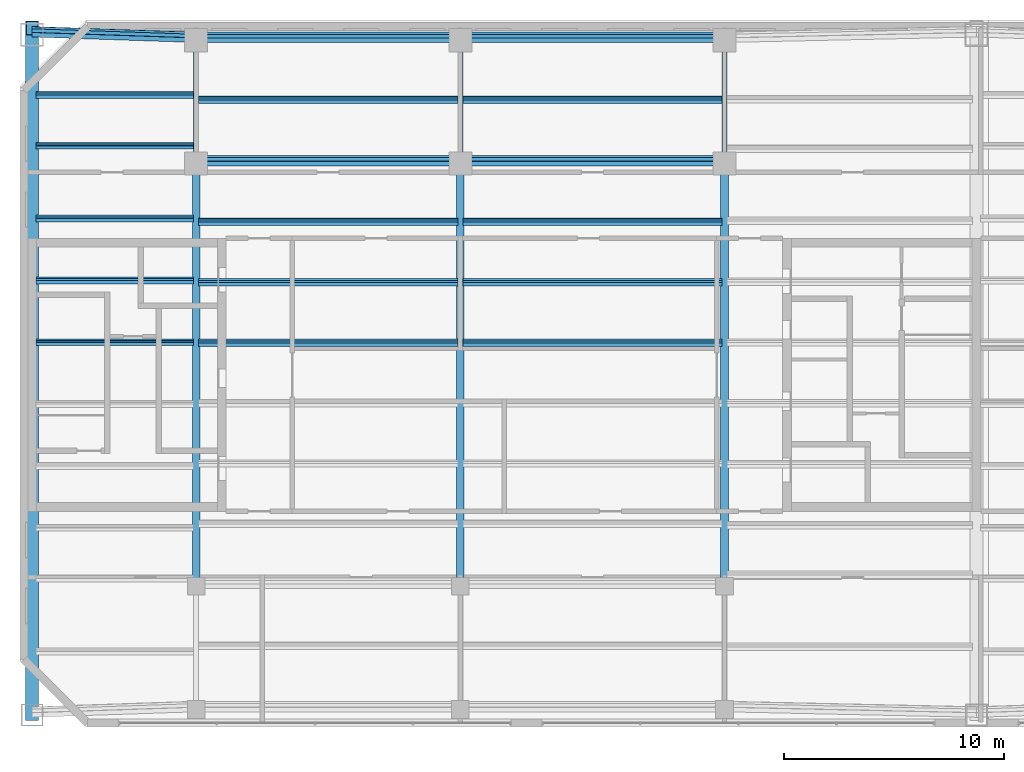
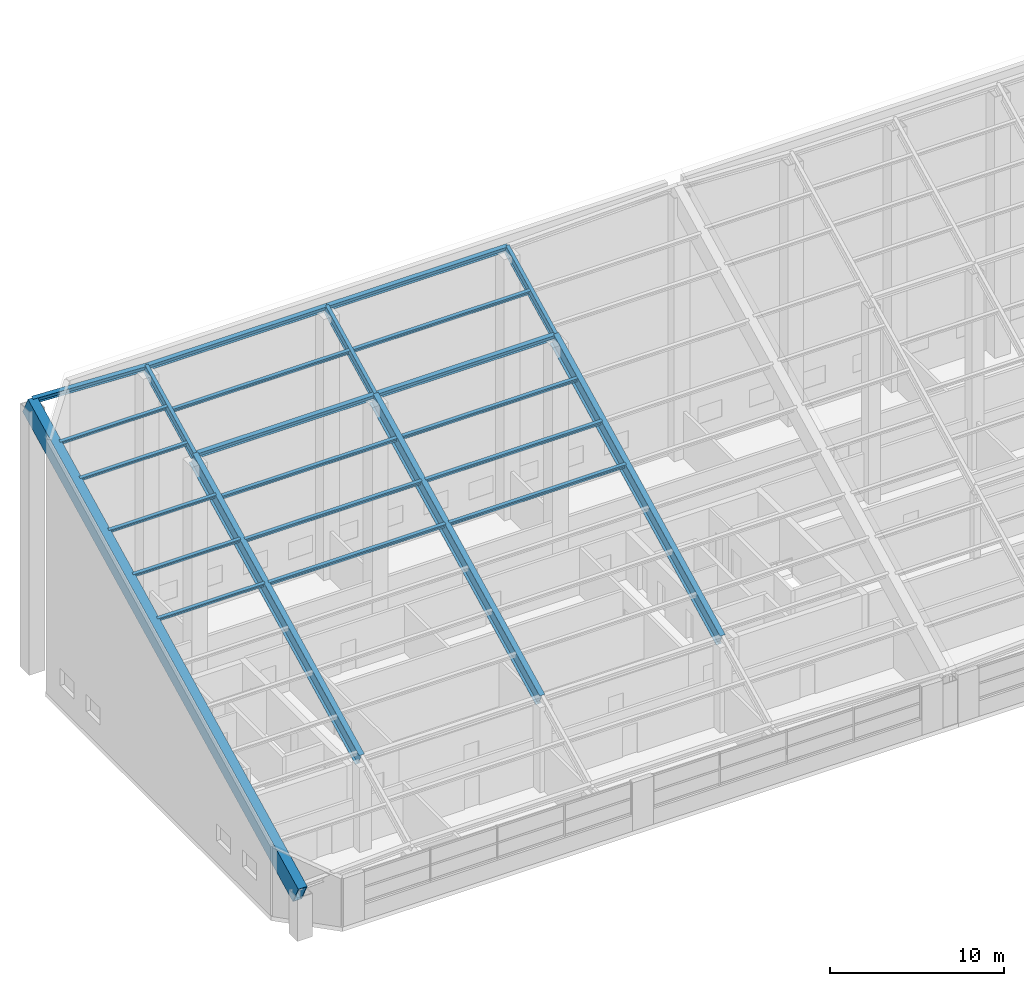
# One storey, part 6 of 28: 25 members.
"""IFC4 building model written with IfcOpenShell, lengths in metres."""

from ifc_helpers import new_model, si_unit, direction, frame, origin, origin_2d, place, context, subcontext, project, spatial, hollow_rectangle, i_section, extrude, material, material_profile, profile_set, type_object, element, save


model = new_model("IFC4")

# Units and contexts
model_context = context("Model", 3, precision=1e-05, world=origin(), true_north=direction((0.0, 1.0)))
body_context = subcontext(model_context, "Body", "Model", "MODEL_VIEW")
ifc_project = project(units=[si_unit("LENGTHUNIT", "METRE"), si_unit("AREAUNIT", "SQUARE_METRE"), si_unit("VOLUMEUNIT", "CUBIC_METRE"), si_unit("PLANEANGLEUNIT", "RADIAN"), si_unit("MASSUNIT", "GRAM", prefix="KILO")], contexts=[model_context])

# Site, building, storey
site_placement = place(None, origin())
site = spatial("IfcSite", under=ifc_project, at=site_placement, CompositionType="ELEMENT")
building_placement = place(site_placement, origin())
building = spatial("IfcBuilding", under=site, at=building_placement, Name="Tuart Gate Housing", CompositionType="ELEMENT")
storey_placement = place(building_placement, frame((0.0, 0.0, 243.89990234375)))
storey = spatial("IfcBuildingStorey", under=building, at=storey_placement, Name="L68", CompositionType="ELEMENT", Elevation=243.89990234375)

# Members
ifc_material_1 = material(Name="Steel Grade 350", Category="steel")
ifc_material_profile_1 = material_profile(ifc_material_1, i_section(OverallWidth=0.22900390625, OverallDepth=0.612060546875, WebThickness=0.011962890625, FlangeThickness=0.01953125, at=origin_2d()), Name="610UB125")
ifc_profile_set_1 = profile_set([ifc_material_profile_1], Name="Steel Grade 350")
member_type_1 = type_object("IfcMemberType", Name="Crown purlin 610 UB125", PredefinedType="PURLIN", material=ifc_profile_set_1)
member_1_placement = place(storey_placement, frame((32.550048828125, 85.5869140625, 18.75146484375), z_axis=(0.999296935793, -0.033533674005, -0.016766837002), x_axis=(0.037491785813, 0.893672148976, 0.447151491265)))
element("IfcMember", 1, at=member_1_placement, inside=storey, type_object=member_type_1, Name="Crown purlin 46", PredefinedType="PURLIN", context=body_context, shape_type="SweptSolid", body=[
    extrude(i_section(OverallWidth=0.22900390625, OverallDepth=0.612060546875, WebThickness=0.011962890625, FlangeThickness=0.01953125, at=origin_2d()), origin(), (0.0, 0.0, 1.0), 7.455078125),
])
ifc_material_2 = material(Name="Steel Grade 350", Category="steel")
ifc_material_profile_2 = material_profile(ifc_material_2, i_section(OverallWidth=0.22900390625, OverallDepth=0.612060546875, WebThickness=0.011962890625, FlangeThickness=0.01953125, at=origin_2d()), Name="610UB125")
ifc_profile_set_2 = profile_set([ifc_material_profile_2], Name="Steel Grade 350")
member_type_2 = type_object("IfcMemberType", Name="Crown purlin 610 UB125 (11.5-13.5 m)", PredefinedType="PURLIN", material=ifc_profile_set_2)
for number, where, z_axis, x_axis, name in (
    (2, (40.0, 79.73681640625, 15.826416015625), (1.0, 0.0, 0.0), (0.0, 0.89442680992, 0.44721435766), "Crown purlin 31"),
    (3, (52.0, 79.73681640625, 15.826416015625), (1.0, 0.0, 0.0), (0.0, 0.89442680992, 0.44721435766), "Crown purlin 32"),
    (4, (40.0, 85.3369140625, 18.62646484375), (1.0, 0.0, 0.0), (0.0, 0.89442680992, 0.44721435766), "Crown purlin 34"),
    (5, (52.0, 85.3369140625, 18.62646484375), (1.0, 0.0, 0.0), (0.0, 0.89442680992, 0.44721435766), "Crown purlin 35"),
):
    element("IfcMember", number, at=place(storey_placement, frame(where, z_axis=z_axis, x_axis=x_axis)), inside=storey, type_object=member_type_2, Name=name, PredefinedType="PURLIN", context=body_context, shape_type="SweptSolid", body=[
        extrude(i_section(OverallWidth=0.22900390625, OverallDepth=0.612060546875, WebThickness=0.011962890625, FlangeThickness=0.01953125, at=origin_2d()), origin(), (0.0, 0.0, 1.0), 12.0),
    ])
ifc_material_3 = material(Name="Steel Grade 350", Category="steel")
ifc_material_profile_3 = material_profile(ifc_material_3, i_section(OverallWidth=0.35009765625, OverallDepth=1.010009765625, WebThickness=0.01611328125, FlangeThickness=0.02490234375, at=origin_2d()), Name="1000WB258")
ifc_profile_set_3 = profile_set([ifc_material_profile_3], Name="Steel Grade 350")
member_type_3 = type_object("IfcMemberType", Name="Crown rafter 1000 WB258", PredefinedType="RAFTER", material=ifc_profile_set_3)
for number, where, z_axis, x_axis, name in (
    (6, (40.0, 60.625732421875, 6.04833984375), (0.0, 0.894424916342, 0.447218144786), (-1.0, 0.0, 0.0), "Crown rafter 3"),
    (7, (52.0, 60.625732421875, 6.04833984375), (0.0, 0.894424916342, 0.447218144786), (-1.0, 0.0, 0.0), "Crown rafter 6"),
    (8, (64.0, 60.625732421875, 6.04833984375), (0.0, 0.894424916342, 0.447218144786), (-1.0, 0.0, 0.0), "Crown rafter 9"),
):
    element("IfcMember", number, at=place(storey_placement, frame(where, z_axis=z_axis, x_axis=x_axis)), inside=storey, type_object=member_type_3, Name=name, PredefinedType="RAFTER", context=body_context, shape_type="SweptSolid", body=[
        extrude(i_section(OverallWidth=0.35009765625, OverallDepth=1.010009765625, WebThickness=0.01611328125, FlangeThickness=0.02490234375, at=origin_2d()), origin(), (0.0, 0.0, 1.0), 21.46630859375),
    ])
ifc_material_4 = material(Name="Steel Grade 350", Category="steel")
ifc_material_profile_4 = material_profile(ifc_material_4, i_section(OverallWidth=0.22900390625, OverallDepth=0.612060546875, WebThickness=0.011962890625, FlangeThickness=0.01953125, at=origin_2d()), Name="610UB125")
ifc_profile_set_4 = profile_set([ifc_material_profile_4], Name="Steel Grade 350")
member_type_4 = type_object("IfcMemberType", Name="Crown rafter 610 UB125", PredefinedType="RAFTER", material=ifc_profile_set_4)
for number, where, z_axis, x_axis, name in (
    (9, (40.0, 79.73681640625, 15.826416015625), (0.0, 0.894427191, 0.4472135955), (-1.0, 0.0, 0.0), "Crown rafter 4"),
    (10, (52.0, 79.73681640625, 15.826416015625), (0.0, 0.894427191, 0.4472135955), (-1.0, 0.0, 0.0), "Crown rafter 7"),
    (11, (64.0, 79.73681640625, 15.826416015625), (0.0, 0.894427191, 0.4472135955), (-1.0, 0.0, 0.0), "Crown rafter 10"),
):
    element("IfcMember", number, at=place(storey_placement, frame(where, z_axis=z_axis, x_axis=x_axis)), inside=storey, type_object=member_type_4, Name=name, PredefinedType="RAFTER", context=body_context, shape_type="SweptSolid", body=[
        extrude(i_section(OverallWidth=0.22900390625, OverallDepth=0.612060546875, WebThickness=0.011962890625, FlangeThickness=0.01953125, at=origin_2d()), origin(), (0.0, 0.0, 1.0), 6.260986328125),
    ])
ifc_material_5 = material(Name="Steel Grade 350", Category="steel")
ifc_material_profile_5 = material_profile(ifc_material_5, hollow_rectangle(XDim=0.60009765625, YDim=1.39990234375, WallThickness=0.0419921875, at=origin_2d()), Name="BOX 1400x600x42")
ifc_profile_set_5 = profile_set([ifc_material_profile_5], Name="Steel Grade 350")
member_type_5 = type_object("IfcMemberType", Name="Crown rafter BOX 1400x600x42", PredefinedType="RAFTER", material=ifc_profile_set_5)
member_2_placement = place(storey_placement, frame((32.550048828125, 54.613037109375, 2.823974609375), z_axis=(0.0, 0.894427191, 0.4472135955), x_axis=(-1.0, 0.0, 0.0)))
element("IfcMember", 12, at=member_2_placement, inside=storey, type_object=member_type_5, Name="Crown rafter 1", PredefinedType="RAFTER", context=body_context, shape_type="SweptSolid", body=[
    extrude(hollow_rectangle(XDim=0.60009765625, YDim=1.39990234375, WallThickness=0.0419921875, at=origin_2d()), origin(), (0.0, 0.0, 1.0), 34.82666015625),
])
ifc_material_6 = material(Name="Steel Grade 350", Category="steel")
ifc_material_profile_6 = material_profile(ifc_material_6, i_section(OverallWidth=0.1708984375, OverallDepth=0.35205078125, WebThickness=0.0068359375, FlangeThickness=0.009765625, at=origin_2d()), Name="360UB44.7")
ifc_profile_set_6 = profile_set([ifc_material_profile_6], Name="Steel Grade 350")
member_type_6 = type_object("IfcMemberType", Name="Crown secondary purlin 360 UB44.7", PredefinedType="PURLIN", material=ifc_profile_set_6)
for number, where, z_axis, x_axis, name in (
    (13, (32.72509765625, 71.483154296875, 11.844970703125), (1.0, 0.0, 0.0), (0.0, 0.89442680992, 0.44721435766), "Crown secondary purlin 73"),
    (14, (32.72509765625, 74.292236328125, 13.24951171875), (1.0, 0.0, 0.0), (0.0, 0.89442680992, 0.44721435766), "Crown secondary purlin 94"),
    (15, (32.72509765625, 77.101318359375, 14.654052734375), (1.0, 0.0, 0.0), (0.0, 0.89442680992, 0.44721435766), "Crown secondary purlin 103"),
    (16, (32.72509765625, 80.410400390625, 16.30859375), (1.0, 0.0, 0.0), (0.0, 0.89442680992, 0.44721435766), "Crown secondary purlin 115"),
    (17, (32.72509765625, 82.719482421875, 17.463134765625), (1.0, 0.0, 0.0), (0.0, 0.89442680992, 0.44721435766), "Crown secondary purlin 130"),
):
    element("IfcMember", number, at=place(storey_placement, frame(where, z_axis=z_axis, x_axis=x_axis)), inside=storey, type_object=member_type_6, Name=name, PredefinedType="PURLIN", context=body_context, shape_type="SweptSolid", body=[
        extrude(i_section(OverallWidth=0.1708984375, OverallDepth=0.35205078125, WebThickness=0.0068359375, FlangeThickness=0.009765625, at=origin_2d()), origin(), (0.0, 0.0, 1.0), 7.160400390625),
    ])
ifc_material_7 = material(Name="Steel Grade 350", Category="steel")
ifc_material_profile_7 = material_profile(ifc_material_7, i_section(OverallWidth=0.177978515625, OverallDepth=0.403076171875, WebThickness=0.007568359375, FlangeThickness=0.010986328125, at=origin_2d()), Name="410UB53.7")
ifc_profile_set_7 = profile_set([ifc_material_profile_7], Name="Steel Grade 350")
member_type_7 = type_object("IfcMemberType", Name="Crown secondary purlin 410 UB53.7", PredefinedType="PURLIN", material=ifc_profile_set_7)
for number, where, z_axis, x_axis, name in (
    (18, (40.114501953125, 71.46142578125, 11.8056640625), (1.0, 0.0, 0.0), (0.0, 0.89442680992, 0.44721435766), "Crown secondary purlin 74"),
    (19, (52.114501953125, 71.46142578125, 11.8056640625), (1.0, 0.0, 0.0), (0.0, 0.89442680992, 0.44721435766), "Crown secondary purlin 75"),
    (20, (40.114501953125, 74.204345703125, 13.177001953125), (1.0, 0.0, 0.0), (0.0, 0.89442680992, 0.44721435766), "Crown secondary purlin 88"),
    (21, (52.114501953125, 74.204345703125, 13.177001953125), (1.0, 0.0, 0.0), (0.0, 0.89442680992, 0.44721435766), "Crown secondary purlin 89"),
    (22, (40.114501953125, 76.947265625, 14.54833984375), (1.0, 0.0, 0.0), (0.0, 0.89442680992, 0.44721435766), "Crown secondary purlin 97"),
    (23, (52.114501953125, 76.947265625, 14.54833984375), (1.0, 0.0, 0.0), (0.0, 0.89442680992, 0.44721435766), "Crown secondary purlin 98"),
    (24, (40.114501953125, 82.489990234375, 17.31982421875), (1.0, 0.0, 0.0), (0.0, 0.89442680992, 0.44721435766), "Crown secondary purlin 124"),
    (25, (52.114501953125, 82.489990234375, 17.31982421875), (1.0, 0.0, 0.0), (0.0, 0.89442680992, 0.44721435766), "Crown secondary purlin 125"),
):
    element("IfcMember", number, at=place(storey_placement, frame(where, z_axis=z_axis, x_axis=x_axis)), inside=storey, type_object=member_type_7, Name=name, PredefinedType="PURLIN", context=body_context, shape_type="SweptSolid", body=[
        extrude(i_section(OverallWidth=0.177978515625, OverallDepth=0.403076171875, WebThickness=0.007568359375, FlangeThickness=0.010986328125, at=origin_2d()), origin(), (0.0, 0.0, 1.0), 11.77099609375),
    ])

save(model, "model.ifc")
